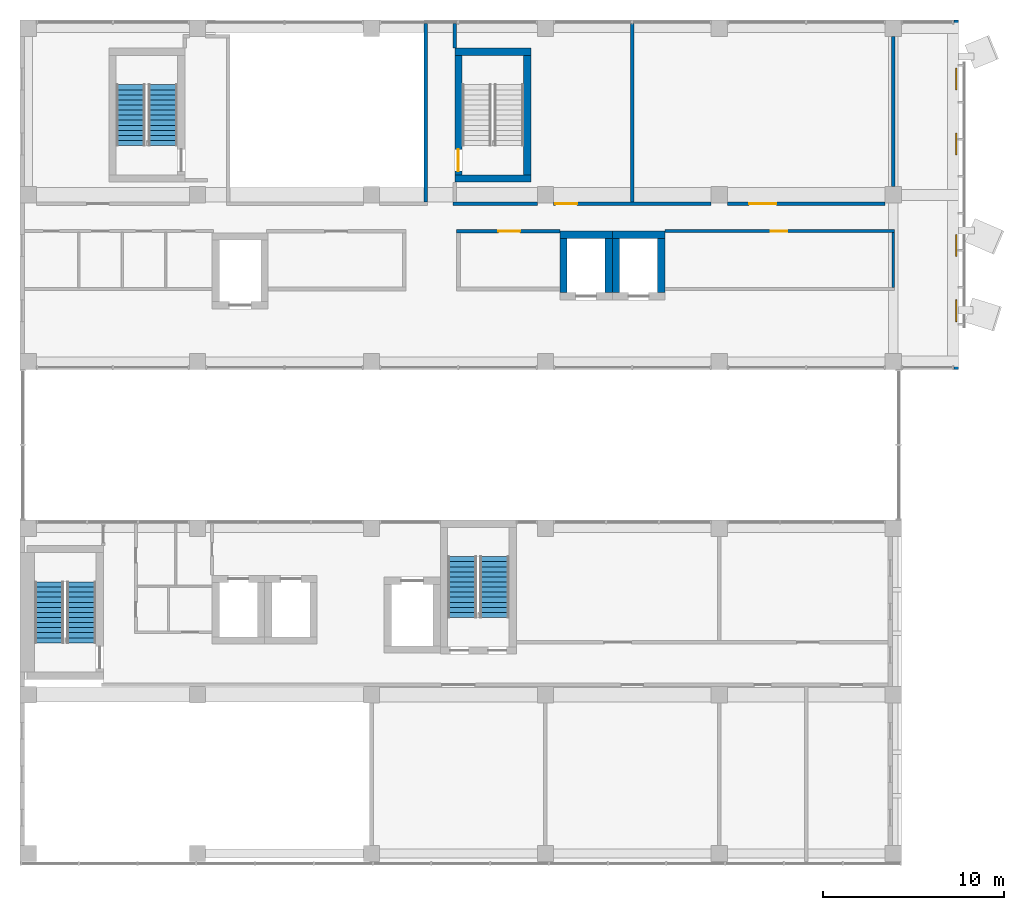
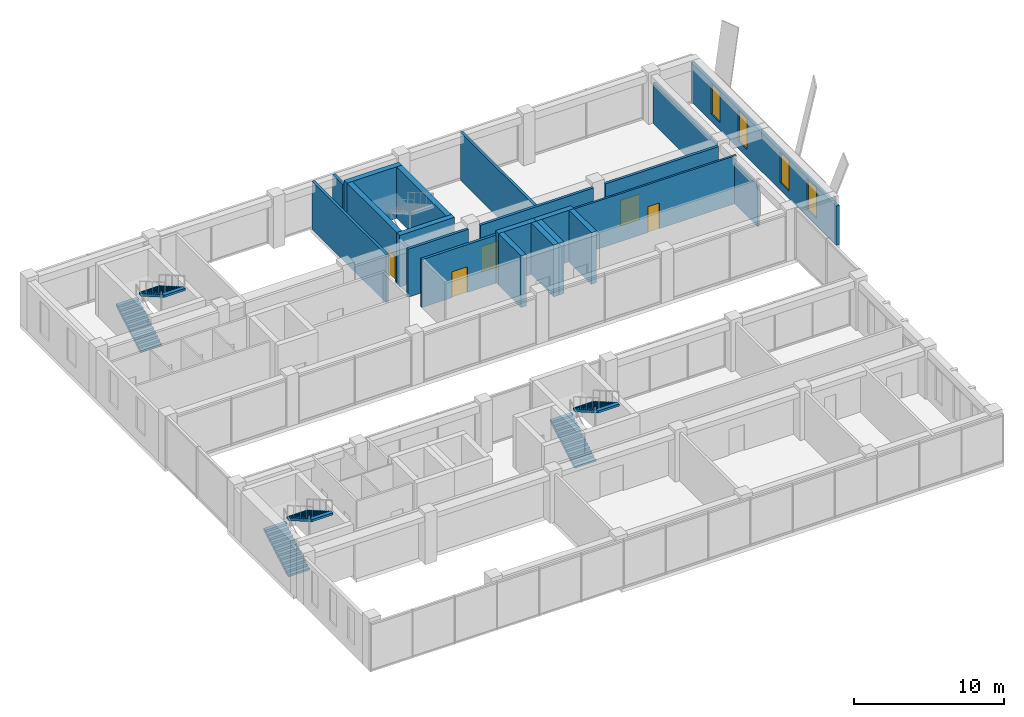
# One storey, part 30 of 37: 21 walls, 6 stair flights, 5 doors, 4 windows, 9 openings, 3 elements without a shape of their own.
"""IFC4 building model written with IfcOpenShell, lengths in metres."""

from ifc_helpers import new_model, si_unit, direction, frame, frame_2d, origin, place, context, subcontext, project, spatial, polyline, rectangle, outline, extrude, material, layer, layer_set, layer_usage, type_object, element, fill, aggregate, save


model = new_model("IFC4")

# Units and contexts
model_context = context("Model", 3, precision=1e-05, world=origin(), true_north=direction((0.0, 1.0)))
body_context = subcontext(model_context, "Body", "Model", "MODEL_VIEW")
ifc_project = project(units=[si_unit("LENGTHUNIT", "METRE"), si_unit("AREAUNIT", "SQUARE_METRE"), si_unit("VOLUMEUNIT", "CUBIC_METRE"), si_unit("PLANEANGLEUNIT", "RADIAN"), si_unit("MASSUNIT", "GRAM", prefix="KILO")], contexts=[model_context])

# Site, building, storey
site_placement = place(None, origin())
site = spatial("IfcSite", under=ifc_project, at=site_placement, CompositionType="ELEMENT")
building_placement = place(site_placement, origin())
building = spatial("IfcBuilding", under=site, at=building_placement, Name="Nzadi Deep Aquarium and Research Tower", CompositionType="ELEMENT")
storey_placement = place(building_placement, frame((0.0, 0.0, 61.300048828125)))
storey = spatial("IfcBuildingStorey", under=building, at=storey_placement, Name="L12", CompositionType="ELEMENT", Elevation=61.300048828125)

# Wall, openings, windows
ifc_material_1 = material(Name="Graphite aluminium shingle", Category="aluminium")
ifc_layer_1 = layer(ifc_material_1, 0.050048828125, Category="cladding")
ifc_material_2 = material(Name="Concrete C35/45", Category="concrete")
ifc_layer_2 = layer(ifc_material_2, 0.10009765625, Category="cladding")
ifc_material_3 = material(Name="Mineral wool insulation")
ifc_layer_3 = layer(ifc_material_3, 0.070068359375, Category="insulation")
ifc_material_4 = material(Name="Gypsum board lining")
ifc_layer_4 = layer(ifc_material_4, 0.030029296875, Category="lining")
ifc_layer_set_1 = layer_set([ifc_layer_1, ifc_layer_2, ifc_layer_3, ifc_layer_4], Name="Graphite aluminium shingle, Concrete C35/45, Mineral wool insulation, Gypsum board lining")
ifc_layer_usage = layer_usage(ifc_layer_set_1, "AXIS2", "POSITIVE", -0.125)
wall_type_1 = type_object("IfcWallType", Name="End wall shingle over board-formed concrete 250, 3.20 m high", PredefinedType="ELEMENTEDWALL", material=ifc_layer_set_1)
wall_1_placement = place(storey_placement, frame((51.47509765625, 27.14990234375, 0.0), z_axis=(0.0, 0.0, 1.0), x_axis=(0.0, 1.0, 0.0)))
wall_1 = element("IfcWall", 1, at=wall_1_placement, inside=storey, type_object=wall_type_1, material=ifc_layer_usage, Name="End wall blade B east L12", PredefinedType="ELEMENTEDWALL", context=body_context, shape_type="SweptSolid", body=[
    extrude(rectangle(XDim=19.300048828125, YDim=0.25, at=frame_2d((9.64990234375, 0.0))), origin(), (0.0, 0.0, 1.0), 3.199951171875),
])
opening_1_placement = place(wall_1_placement, frame((2.64990234375, 0.0, 0.60009765625)))
opening_1 = element("IfcOpeningElement", 2, at=opening_1_placement, cuts=wall_1, Name="Opening WN08", PredefinedType="OPENING", context=body_context, shape_type="SweptSolid", body=[
    extrude(rectangle(XDim=1.199951171875, YDim=2.5, at=frame_2d((0.60009765625, 1.25))), frame((0.0, 0.135009765625, 0.0), z_axis=(0.0, -1.0, 0.0), x_axis=(1.0, 0.0, 0.0)), (0.0, 0.0, 1.0), 0.27001953125),
])
opening_2_placement = place(wall_1_placement, frame((6.25, 0.0, 0.60009765625)))
opening_2 = element("IfcOpeningElement", 3, at=opening_2_placement, cuts=wall_1, Name="Opening WN08", PredefinedType="OPENING", context=body_context, shape_type="SweptSolid", body=[
    extrude(rectangle(XDim=1.199951171875, YDim=2.5, at=frame_2d((0.60009765625, 1.25))), frame((0.0, 0.135009765625, 0.0), z_axis=(0.0, -1.0, 0.0), x_axis=(1.0, 0.0, 0.0)), (0.0, 0.0, 1.0), 0.27001953125),
])
opening_3_placement = place(wall_1_placement, frame((11.85009765625, 0.0, 0.60009765625)))
opening_3 = element("IfcOpeningElement", 4, at=opening_3_placement, cuts=wall_1, Name="Opening WN08", PredefinedType="OPENING", context=body_context, shape_type="SweptSolid", body=[
    extrude(rectangle(XDim=1.199951171875, YDim=2.5, at=frame_2d((0.60009765625, 1.25))), frame((0.0, 0.135009765625, 0.0), z_axis=(0.0, -1.0, 0.0), x_axis=(1.0, 0.0, 0.0)), (0.0, 0.0, 1.0), 0.27001953125),
])
opening_4_placement = place(wall_1_placement, frame((15.449951171875, 0.0, 0.60009765625)))
opening_4 = element("IfcOpeningElement", 5, at=opening_4_placement, cuts=wall_1, Name="Opening WN08", PredefinedType="OPENING", context=body_context, shape_type="SweptSolid", body=[
    extrude(rectangle(XDim=1.199951171875, YDim=2.5, at=frame_2d((0.60009765625, 1.25))), frame((0.0, 0.135009765625, 0.0), z_axis=(0.0, -1.0, 0.0), x_axis=(1.0, 0.0, 0.0)), (0.0, 0.0, 1.0), 0.27001953125),
])
ifc_material_5 = material(Name="Aluminium window, sage tint glazing", Category="aluminium")
window_type = type_object("IfcWindowType", Name="Slot window 1200x2500 sill 600", PartitioningType="SINGLE_PANEL", PredefinedType="WINDOW", material=ifc_material_5)
window_1_placement = place(opening_1_placement, origin())
window_1 = element("IfcWindow", 6, at=window_1_placement, inside=storey, type_object=window_type, Name="Slot window L12 BE", OverallHeight=2.5, OverallWidth=1.199951171875, PartitioningType="SINGLE_PANEL", PredefinedType="WINDOW", context=body_context, shape_type="SweptSolid", body=[
    extrude(rectangle(XDim=1.199951171875, YDim=2.5, at=frame_2d((0.60009765625, 1.25))), frame((0.0, 0.030029296875, 0.0), z_axis=(0.0, -1.0, 0.0), x_axis=(1.0, 0.0, 0.0)), (0.0, 0.0, 1.0), 0.06005859375),
])
fill(opening_1, window_1)
window_2_placement = place(opening_2_placement, origin())
window_2 = element("IfcWindow", 7, at=window_2_placement, inside=storey, type_object=window_type, Name="Slot window L12 BE", OverallHeight=2.5, OverallWidth=1.199951171875, PartitioningType="SINGLE_PANEL", PredefinedType="WINDOW", context=body_context, shape_type="SweptSolid", body=[
    extrude(rectangle(XDim=1.199951171875, YDim=2.5, at=frame_2d((0.60009765625, 1.25))), frame((0.0, 0.030029296875, 0.0), z_axis=(0.0, -1.0, 0.0), x_axis=(1.0, 0.0, 0.0)), (0.0, 0.0, 1.0), 0.06005859375),
])
fill(opening_2, window_2)
window_3_placement = place(opening_3_placement, origin())
window_3 = element("IfcWindow", 8, at=window_3_placement, inside=storey, type_object=window_type, Name="Slot window L12 BE", OverallHeight=2.5, OverallWidth=1.199951171875, PartitioningType="SINGLE_PANEL", PredefinedType="WINDOW", context=body_context, shape_type="SweptSolid", body=[
    extrude(rectangle(XDim=1.199951171875, YDim=2.5, at=frame_2d((0.60009765625, 1.25))), frame((0.0, 0.030029296875, 0.0), z_axis=(0.0, -1.0, 0.0), x_axis=(1.0, 0.0, 0.0)), (0.0, 0.0, 1.0), 0.06005859375),
])
fill(opening_3, window_3)
window_4_placement = place(opening_4_placement, origin())
window_4 = element("IfcWindow", 9, at=window_4_placement, inside=storey, type_object=window_type, Name="Slot window L12 BE", OverallHeight=2.5, OverallWidth=1.199951171875, PartitioningType="SINGLE_PANEL", PredefinedType="WINDOW", context=body_context, shape_type="SweptSolid", body=[
    extrude(rectangle(XDim=1.199951171875, YDim=2.5, at=frame_2d((0.60009765625, 1.25))), frame((0.0, 0.030029296875, 0.0), z_axis=(0.0, -1.0, 0.0), x_axis=(1.0, 0.0, 0.0)), (0.0, 0.0, 1.0), 0.06005859375),
])
fill(opening_4, window_4)

# Wall, opening, door
ifc_material_6 = material(Name="Blockwork masonry", Category="masonry")
ifc_layer_5 = layer(ifc_material_6, 0.14990234375)
ifc_layer_set_2 = layer_set([ifc_layer_5], Name="Blockwork masonry")
wall_type_2 = type_object("IfcWallType", Name="Partition 150 EI 60", PredefinedType="PARTITIONING", material=ifc_layer_set_2)
wall_2_placement = place(storey_placement, frame((35.406005859375, 34.800048828125, 0.0), z_axis=(0.0, 0.0, 1.0), x_axis=(1.0, 0.0, 0.0)))
wall_2 = element("IfcWall", 10, at=wall_2_placement, inside=storey, type_object=wall_type_2, Name="W-Z1-L12-P038", PredefinedType="PARTITIONING", context=body_context, shape_type="SweptSolid", body=[
    extrude(rectangle(XDim=12.6689453125, YDim=0.14990234375, at=frame_2d((6.33447265625, 0.0))), origin(), (0.0, 0.0, 1.0), 3.89990234375),
])
opening_5_placement = place(wall_2_placement, frame((5.843994140625, 0.0, 0.0)))
opening_5 = element("IfcOpeningElement", 11, at=opening_5_placement, cuts=wall_2, Name="Opening D131018", PredefinedType="OPENING", context=body_context, shape_type="SweptSolid", body=[
    extrude(rectangle(XDim=0.89990234375, YDim=2.10009765625, at=frame_2d((0.449951171875, 1.050048828125))), frame((0.0, 0.0849609375, 0.0), z_axis=(0.0, -1.0, 0.0), x_axis=(1.0, 0.0, 0.0)), (0.0, 0.0, 1.0), 0.169921875),
])
ifc_material_7 = material(Name="Fire-rated steel door", Category="steel")
ifc_layer_6 = layer(ifc_material_7, 0.050048828125)
ifc_layer_set_3 = layer_set([ifc_layer_6], Name="Fire-rated steel door")
door_type_1 = type_object("IfcDoorType", Name="Door 900x2100 EI 60 single", OperationType="SINGLE_SWING_LEFT", PredefinedType="DOOR", material=ifc_layer_set_3)
door_1_placement = place(opening_5_placement, origin())
door_1 = element("IfcDoor", 12, at=door_1_placement, inside=storey, type_object=door_type_1, Name="D131018", OperationType="SINGLE_SWING_RIGHT", OverallHeight=2.10009765625, OverallWidth=0.89990234375, PredefinedType="DOOR", context=body_context, shape_type="SweptSolid", body=[
    extrude(rectangle(XDim=0.89990234375, YDim=2.10009765625, at=frame_2d((0.449951171875, 1.050048828125))), frame((0.0, 0.02490234375, 0.0), z_axis=(0.0, -1.0, 0.0), x_axis=(1.0, 0.0, 0.0)), (0.0, 0.0, 1.0), 0.050048828125),
])
fill(opening_5, door_1)

# Walls
ifc_material_8 = material(Name="Blockwork masonry", Category="masonry")
ifc_layer_7 = layer(ifc_material_8, 0.14990234375)
ifc_layer_set_4 = layer_set([ifc_layer_7], Name="Blockwork masonry")
wall_type_3 = type_object("IfcWallType", Name="Partition 150 EI 60, 3.30 m high", PredefinedType="PARTITIONING", material=ifc_layer_set_4)
wall_3_placement = place(storey_placement, frame((48.0, 31.675048828125, 0.0), z_axis=(0.0, 0.0, 1.0), x_axis=(0.0, 1.0, 0.0)))
element("IfcWall", 13, at=wall_3_placement, inside=storey, type_object=wall_type_3, Name="W-Z1-L12-P044", PredefinedType="PARTITIONING", context=body_context, shape_type="SweptSolid", body=[
    extrude(rectangle(XDim=3.050048828125, YDim=0.14990234375, at=frame_2d((1.52490234375, 0.0))), origin(), (0.0, 0.0, 1.0), 3.300048828125),
])
ifc_material_9 = material(Name="Blockwork masonry", Category="masonry")
ifc_layer_8 = layer(ifc_material_9, 0.199951171875)
ifc_layer_set_5 = layer_set([ifc_layer_8], Name="Blockwork masonry")
wall_type_4 = type_object("IfcWallType", Name="Partition 200 EI 120", PredefinedType="PARTITIONING", material=ifc_layer_set_5)
wall_4_placement = place(storey_placement, frame((22.199951171875, 36.39990234375, 0.0), z_axis=(0.0, 0.0, 1.0), x_axis=(0.0, 1.0, 0.0)))
element("IfcWall", 14, at=wall_4_placement, inside=storey, type_object=wall_type_4, Name="W-Z1-L12-P026", PredefinedType="PARTITIONING", context=body_context, shape_type="SweptSolid", body=[
    extrude(rectangle(XDim=9.843994140625, YDim=0.199951171875, at=frame_2d((4.921875, 0.0))), origin(), (0.0, 0.0, 1.0), 3.89990234375),
])
wall_5_placement = place(storey_placement, frame((23.699951171875, 36.300048828125, 0.0), z_axis=(0.0, 0.0, 1.0), x_axis=(1.0, 0.0, 0.0)))
element("IfcWall", 15, at=wall_5_placement, inside=storey, type_object=wall_type_4, Name="W-Z1-L12-P027", PredefinedType="PARTITIONING", context=body_context, shape_type="SweptSolid", body=[
    extrude(rectangle(XDim=4.650146484375, YDim=0.199951171875, at=frame_2d((2.3251953125, 0.0))), origin(), (0.0, 0.0, 1.0), 3.89990234375),
])
wall_6_placement = place(storey_placement, frame((23.800048828125, 44.906005859375, 0.0), z_axis=(0.0, 0.0, 1.0), x_axis=(0.0, 1.0, 0.0)))
element("IfcWall", 16, at=wall_6_placement, inside=storey, type_object=wall_type_4, Name="W-Z1-L12-P029", PredefinedType="PARTITIONING", context=body_context, shape_type="SweptSolid", body=[
    extrude(rectangle(XDim=1.337890625, YDim=0.199951171875, at=frame_2d((0.6689453125, 0.0))), origin(), (0.0, 0.0, 1.0), 3.89990234375),
])

# Wall, opening, door
wall_7_placement = place(storey_placement, frame((23.89990234375, 34.800048828125, 0.0), z_axis=(0.0, 0.0, 1.0), x_axis=(1.0, 0.0, 0.0)))
wall_7 = element("IfcWall", 17, at=wall_7_placement, inside=storey, type_object=wall_type_4, Name="W-Z1-L12-P032", PredefinedType="PARTITIONING", context=body_context, shape_type="SweptSolid", body=[
    extrude(rectangle(XDim=5.694091796875, YDim=0.199951171875, at=frame_2d((2.84716796875, 0.0))), origin(), (0.0, 0.0, 1.0), 3.89990234375),
])
opening_6_placement = place(wall_7_placement, frame((2.300048828125, 0.0, 0.0)))
opening_6 = element("IfcOpeningElement", 18, at=opening_6_placement, cuts=wall_7, Name="Opening D131017", PredefinedType="OPENING", context=body_context, shape_type="SweptSolid", body=[
    extrude(rectangle(XDim=1.199951171875, YDim=2.10009765625, at=frame_2d((0.60009765625, 1.050048828125))), frame((0.0, 0.110107421875, 0.0), z_axis=(0.0, -1.0, 0.0), x_axis=(1.0, 0.0, 0.0)), (0.0, 0.0, 1.0), 0.22021484375),
])
ifc_material_10 = material(Name="Fire-rated steel door", Category="steel")
ifc_layer_9 = layer(ifc_material_10, 0.050048828125)
ifc_layer_set_6 = layer_set([ifc_layer_9], Name="Fire-rated steel door")
door_type_2 = type_object("IfcDoorType", Name="Door 1200x2100 EI 120 single", OperationType="SINGLE_SWING_LEFT", PredefinedType="DOOR", material=ifc_layer_set_6)
door_2_placement = place(opening_6_placement, origin())
door_2 = element("IfcDoor", 19, at=door_2_placement, inside=storey, type_object=door_type_2, Name="D131017", OperationType="SINGLE_SWING_LEFT", OverallHeight=2.10009765625, OverallWidth=1.199951171875, PredefinedType="DOOR", context=body_context, shape_type="SweptSolid", body=[
    extrude(rectangle(XDim=1.199951171875, YDim=2.10009765625, at=frame_2d((0.60009765625, 1.050048828125))), frame((0.0, 0.02490234375, 0.0), z_axis=(0.0, -1.0, 0.0), x_axis=(1.0, 0.0, 0.0)), (0.0, 0.0, 1.0), 0.050048828125),
])
fill(opening_6, door_2)

wall_8_placement = place(storey_placement, frame((29.25, 36.300048828125, 0.0), z_axis=(0.0, 0.0, 1.0), x_axis=(1.0, 0.0, 0.0)))
wall_8 = element("IfcWall", 20, at=wall_8_placement, inside=storey, type_object=wall_type_4, Name="W-Z1-L12-P035", PredefinedType="PARTITIONING", context=body_context, shape_type="SweptSolid", body=[
    extrude(rectangle(XDim=8.699951171875, YDim=0.199951171875, at=frame_2d((4.35009765625, 0.0))), origin(), (0.0, 0.0, 1.0), 3.89990234375),
])
opening_7_placement = place(wall_8_placement, frame((0.10009765625, 0.0, 0.0)))
opening_7 = element("IfcOpeningElement", 21, at=opening_7_placement, cuts=wall_8, Name="Opening D131020", PredefinedType="OPENING", context=body_context, shape_type="SweptSolid", body=[
    extrude(rectangle(XDim=1.199951171875, YDim=2.10009765625, at=frame_2d((0.60009765625, 1.050048828125))), frame((0.0, 0.110107421875, 0.0), z_axis=(0.0, -1.0, 0.0), x_axis=(1.0, 0.0, 0.0)), (0.0, 0.0, 1.0), 0.22021484375),
])
door_3_placement = place(opening_7_placement, origin())
door_3 = element("IfcDoor", 22, at=door_3_placement, inside=storey, type_object=door_type_2, Name="D131020", OperationType="SINGLE_SWING_LEFT", OverallHeight=2.10009765625, OverallWidth=1.199951171875, PredefinedType="DOOR", context=body_context, shape_type="SweptSolid", body=[
    extrude(rectangle(XDim=1.199951171875, YDim=2.10009765625, at=frame_2d((0.60009765625, 1.050048828125))), frame((0.0, 0.02490234375, 0.0), z_axis=(0.0, -1.0, 0.0), x_axis=(1.0, 0.0, 0.0)), (0.0, 0.0, 1.0), 0.050048828125),
])
fill(opening_7, door_3)

# Wall
wall_9_placement = place(storey_placement, frame((33.60009765625, 36.39990234375, 0.0), z_axis=(0.0, 0.0, 1.0), x_axis=(0.0, 1.0, 0.0)))
element("IfcWall", 23, at=wall_9_placement, inside=storey, type_object=wall_type_4, Name="W-Z1-L12-P036", PredefinedType="PARTITIONING", context=body_context, shape_type="SweptSolid", body=[
    extrude(rectangle(XDim=9.843994140625, YDim=0.199951171875, at=frame_2d((4.921875, 0.0))), origin(), (0.0, 0.0, 1.0), 3.89990234375),
])

# Wall, opening, door
wall_10_placement = place(storey_placement, frame((38.85009765625, 36.300048828125, 0.0), z_axis=(0.0, 0.0, 1.0), x_axis=(1.0, 0.0, 0.0)))
wall_10 = element("IfcWall", 24, at=wall_10_placement, inside=storey, type_object=wall_type_4, Name="W-Z1-L12-P041", PredefinedType="PARTITIONING", context=body_context, shape_type="SweptSolid", body=[
    extrude(rectangle(XDim=8.699951171875, YDim=0.199951171875, at=frame_2d((4.35009765625, 0.0))), origin(), (0.0, 0.0, 1.0), 3.89990234375),
])
opening_8_placement = place(wall_10_placement, frame((1.199951171875, 0.0, 0.0)))
opening_8 = element("IfcOpeningElement", 25, at=opening_8_placement, cuts=wall_10, Name="Opening D131021", PredefinedType="OPENING", context=body_context, shape_type="SweptSolid", body=[
    extrude(rectangle(XDim=1.5, YDim=2.10009765625, at=frame_2d((0.75, 1.050048828125))), frame((0.0, 0.110107421875, 0.0), z_axis=(0.0, -1.0, 0.0), x_axis=(1.0, 0.0, 0.0)), (0.0, 0.0, 1.0), 0.22021484375),
])
ifc_material_11 = material(Name="Fire-rated steel door", Category="steel")
ifc_layer_10 = layer(ifc_material_11, 0.050048828125)
ifc_layer_set_7 = layer_set([ifc_layer_10], Name="Fire-rated steel door")
door_type_3 = type_object("IfcDoorType", Name="Door 1500x2100 EI 120 double", OperationType="DOUBLE_DOOR_SINGLE_SWING", PredefinedType="DOOR", material=ifc_layer_set_7)
door_4_placement = place(opening_8_placement, origin())
door_4 = element("IfcDoor", 26, at=door_4_placement, inside=storey, type_object=door_type_3, Name="D131021", OperationType="DOUBLE_DOOR_SINGLE_SWING", OverallHeight=2.10009765625, OverallWidth=1.5, PredefinedType="DOOR", context=body_context, shape_type="SweptSolid", body=[
    extrude(rectangle(XDim=1.5, YDim=2.10009765625, at=frame_2d((0.75, 1.050048828125))), frame((0.0, 0.02490234375, 0.0), z_axis=(0.0, -1.0, 0.0), x_axis=(1.0, 0.0, 0.0)), (0.0, 0.0, 1.0), 0.050048828125),
])
fill(opening_8, door_4)

# Walls
ifc_material_12 = material(Name="Blockwork masonry", Category="masonry")
ifc_layer_11 = layer(ifc_material_12, 0.199951171875)
ifc_layer_set_8 = layer_set([ifc_layer_11], Name="Blockwork masonry")
wall_type_5 = type_object("IfcWallType", Name="Partition 200 EI 120, 3.30 m high", PredefinedType="PARTITIONING", material=ifc_layer_set_8)
wall_11_placement = place(storey_placement, frame((48.0, 37.25, 0.0), z_axis=(0.0, 0.0, 1.0), x_axis=(0.0, 1.0, 0.0)))
element("IfcWall", 27, at=wall_11_placement, inside=storey, type_object=wall_type_5, Name="W-Z1-L12-P043", PredefinedType="PARTITIONING", context=body_context, shape_type="SweptSolid", body=[
    extrude(rectangle(XDim=8.300048828125, YDim=0.199951171875, at=frame_2d((4.14990234375, 0.0))), origin(), (0.0, 0.0, 1.0), 3.300048828125),
])
ifc_material_13 = material(Name="Concrete C35/45", Category="concrete")
ifc_layer_12 = layer(ifc_material_13, 0.39990234375)
ifc_layer_set_9 = layer_set([ifc_layer_12], Name="Concrete C35/45")
wall_type_6 = type_object("IfcWallType", Name="RC core wall 400", PredefinedType="SHEAR", material=ifc_layer_set_9)
for number, where, z_axis, x_axis, name in (
    (28, (23.800048828125, 37.699951171875, 0.0), (0.0, 0.0, 1.0), (1.0, 0.0, 0.0), "W-CORE-ST-Z1-NE-L12-S"),
    (29, (23.800048828125, 44.699951171875, 0.0), (0.0, 0.0, 1.0), (1.0, 0.0, 0.0), "W-CORE-ST-Z1-NE-L12-N"),
):
    element("IfcWall", number, at=place(storey_placement, frame(where, z_axis=z_axis, x_axis=x_axis)), inside=storey, type_object=wall_type_6, Name=name, PredefinedType="SHEAR", context=body_context, shape_type="SweptSolid", body=[
        extrude(rectangle(XDim=4.199951171875, YDim=0.39990234375, at=frame_2d((2.10009765625, 0.0))), origin(), (0.0, 0.0, 1.0), 4.199951171875),
    ])

# Wall, opening, door
wall_12_placement = place(storey_placement, frame((24.0, 37.89990234375, 0.0), z_axis=(0.0, 0.0, 1.0), x_axis=(0.0, 1.0, 0.0)))
wall_12 = element("IfcWall", 30, at=wall_12_placement, inside=storey, type_object=wall_type_6, Name="W-CORE-ST-Z1-NE-L12-W", PredefinedType="SHEAR", context=body_context, shape_type="SweptSolid", body=[
    extrude(rectangle(XDim=6.60009765625, YDim=0.39990234375, at=frame_2d((3.300048828125, 0.0))), origin(), (0.0, 0.0, 1.0), 4.199951171875),
])
opening_9_placement = place(wall_12_placement, frame((0.2099609375, 0.0, 0.0)))
opening_9 = element("IfcOpeningElement", 31, at=opening_9_placement, cuts=wall_12, Name="Opening DS-Z1-NE-L12", PredefinedType="OPENING", context=body_context, shape_type="SweptSolid", body=[
    extrude(rectangle(XDim=1.199951171875, YDim=2.10009765625, at=frame_2d((0.60009765625, 1.050048828125))), frame((0.0, 0.2099609375, 0.0), z_axis=(0.0, -1.0, 0.0), x_axis=(1.0, 0.0, 0.0)), (0.0, 0.0, 1.0), 0.419921875),
])
ifc_material_14 = material(Name="Steel, powder coated", Category="steel")
door_type_4 = type_object("IfcDoorType", Name="STAIR DOOR 1200x2100 EI 60", OperationType="SINGLE_SWING_LEFT", PredefinedType="DOOR", material=ifc_material_14)
door_5_placement = place(opening_9_placement, origin())
door_5 = element("IfcDoor", 32, at=door_5_placement, inside=storey, type_object=door_type_4, Name="Stair door ST-Z1-NE L12", OperationType="SINGLE_SWING_LEFT", OverallHeight=2.10009765625, OverallWidth=1.199951171875, PredefinedType="DOOR", context=body_context, shape_type="SweptSolid", body=[
    extrude(rectangle(XDim=1.199951171875, YDim=2.10009765625, at=frame_2d((0.60009765625, 1.050048828125))), frame((0.0, 0.02490234375, 0.0), z_axis=(0.0, -1.0, 0.0), x_axis=(1.0, 0.0, 0.0)), (0.0, 0.0, 1.0), 0.050048828125),
])
fill(opening_9, door_5)

# Walls
wall_13_placement = place(storey_placement, frame((27.800048828125, 37.89990234375, 0.0), z_axis=(0.0, 0.0, 1.0), x_axis=(0.0, 1.0, 0.0)))
element("IfcWall", 33, at=wall_13_placement, inside=storey, type_object=wall_type_6, Name="W-CORE-ST-Z1-NE-L12-E", PredefinedType="SHEAR", context=body_context, shape_type="SweptSolid", body=[
    extrude(rectangle(XDim=6.60009765625, YDim=0.39990234375, at=frame_2d((3.300048828125, 0.0))), origin(), (0.0, 0.0, 1.0), 4.199951171875),
])
wall_14_placement = place(storey_placement, frame((29.60009765625, 34.60009765625, 0.0), z_axis=(0.0, 0.0, 1.0), x_axis=(1.0, 0.0, 0.0)))
element("IfcWall", 34, at=wall_14_placement, inside=storey, type_object=wall_type_6, Name="W-CORE-TL3-L12-N", PredefinedType="SHEAR", context=body_context, shape_type="SweptSolid", body=[
    extrude(rectangle(XDim=2.89990234375, YDim=0.39990234375, at=frame_2d((1.449951171875, 0.0))), origin(), (0.0, 0.0, 1.0), 4.199951171875),
])
for number, where, z_axis, x_axis, name in (
    (35, (29.800048828125, 31.39990234375, 0.0), (0.0, 0.0, 1.0), (0.0, 1.0, 0.0), "W-CORE-TL3-L12-W"),
    (36, (32.300048828125, 31.39990234375, 0.0), (0.0, 0.0, 1.0), (0.0, 1.0, 0.0), "W-CORE-TL3-L12-E"),
):
    element("IfcWall", number, at=place(storey_placement, frame(where, z_axis=z_axis, x_axis=x_axis)), inside=storey, type_object=wall_type_6, Name=name, PredefinedType="SHEAR", context=body_context, shape_type="SweptSolid", body=[
        extrude(rectangle(XDim=3.0, YDim=0.39990234375, at=frame_2d((1.5, 0.0))), origin(), (0.0, 0.0, 1.0), 4.199951171875),
    ])
wall_15_placement = place(storey_placement, frame((32.5, 34.60009765625, 0.0), z_axis=(0.0, 0.0, 1.0), x_axis=(1.0, 0.0, 0.0)))
element("IfcWall", 37, at=wall_15_placement, inside=storey, type_object=wall_type_6, Name="W-CORE-TL4-L12-N", PredefinedType="SHEAR", context=body_context, shape_type="SweptSolid", body=[
    extrude(rectangle(XDim=2.89990234375, YDim=0.39990234375, at=frame_2d((1.449951171875, 0.0))), origin(), (0.0, 0.0, 1.0), 4.199951171875),
])
for number, where, z_axis, x_axis, name in (
    (38, (32.699951171875, 31.39990234375, 0.0), (0.0, 0.0, 1.0), (0.0, 1.0, 0.0), "W-CORE-TL4-L12-W"),
    (39, (35.199951171875, 31.39990234375, 0.0), (0.0, 0.0, 1.0), (0.0, 1.0, 0.0), "W-CORE-TL4-L12-E"),
):
    element("IfcWall", number, at=place(storey_placement, frame(where, z_axis=z_axis, x_axis=x_axis)), inside=storey, type_object=wall_type_6, Name=name, PredefinedType="SHEAR", context=body_context, shape_type="SweptSolid", body=[
        extrude(rectangle(XDim=3.0, YDim=0.39990234375, at=frame_2d((1.5, 0.0))), origin(), (0.0, 0.0, 1.0), 4.199951171875),
    ])

# Stair, stair flights
ifc_material_15 = material(Name="Concrete C35/45", Category="concrete")
stair_type = type_object("IfcStairType", Name="STAIR RETURN 3000", PredefinedType="NOTDEFINED", material=ifc_material_15)
stair_1_placement = place(storey_placement, origin())
stair_1 = element("IfcStair", 40, at=stair_1_placement, inside=storey, type_object=stair_type, Name="Stair ST-Z1-SW L12", PredefinedType="HALF_TURN_STAIR")
ifc_material_16 = material(Name="Concrete C35/45", Category="concrete")
stair_flight_type = type_object("IfcStairFlightType", Name="FLIGHT 1625 13 RISERS 161.5 GOING 280", PredefinedType="STRAIGHT", material=ifc_material_16)
stair_flight_1_placement = place(storey_placement, frame((1.41259765625, 12.070068359375, 0.0), z_axis=(0.0, 0.0, 1.0), x_axis=(0.0, 1.0, 0.0)))
stair_flight_1 = element("IfcStairFlight", 41, at=stair_flight_1_placement, type_object=stair_flight_type, Name="ST-Z1-SW flight 1", NumberOfRisers=13, NumberOfTreads=12, PredefinedType="STRAIGHT", RiserHeight=0.161538462, TreadLength=0.28, context=body_context, shape_type="SweptSolid", body=[
    extrude(outline(polyline([(0.0, 0.0), (0.0, 0.16162109375), (0.280029296875, 0.16162109375), (0.280029296875, 0.322998046875), (0.56005859375, 0.322998046875), (0.56005859375, 0.484619140625), (0.840087890625, 0.484619140625), (0.840087890625, 0.646240234375), (1.1201171875, 0.646240234375), (1.1201171875, 0.8076171875), (1.39990234375, 0.8076171875), (1.39990234375, 0.96923828125), (1.679931640625, 0.96923828125), (1.679931640625, 1.130859375), (1.9599609375, 1.130859375), (1.9599609375, 1.292236328125), (2.239990234375, 1.292236328125), (2.239990234375, 1.453857421875), (2.52001953125, 1.453857421875), (2.52001953125, 1.615478515625), (2.800048828125, 1.615478515625), (2.800048828125, 1.77685546875), (3.080078125, 1.77685546875), (3.080078125, 1.9384765625), (3.360107421875, 1.9384765625), (3.360107421875, 2.10009765625), (3.360107421875, 1.765380859375), (0.300048828125, 0.0), (0.0, 0.0)])), frame((0.0, 0.8125, 0.0), z_axis=(0.0, -1.0, 0.0), x_axis=(1.0, 0.0, 0.0)), (0.0, 0.0, 1.0), 1.625),
])
stair_flight_2_placement = place(storey_placement, frame((3.1875, 15.429931640625, 2.099853515625), z_axis=(0.0, 0.0, 1.0), x_axis=(0.0, -1.0, 0.0)))
stair_flight_2 = element("IfcStairFlight", 42, at=stair_flight_2_placement, type_object=stair_flight_type, Name="ST-Z1-SW flight 2", NumberOfRisers=13, NumberOfTreads=12, PredefinedType="STRAIGHT", RiserHeight=0.161538462, TreadLength=0.28, context=body_context, shape_type="SweptSolid", body=[
    extrude(outline(polyline([(0.0, 0.0), (0.0, 0.16162109375), (0.280029296875, 0.16162109375), (0.280029296875, 0.322998046875), (0.56005859375, 0.322998046875), (0.56005859375, 0.484619140625), (0.840087890625, 0.484619140625), (0.840087890625, 0.646240234375), (1.1201171875, 0.646240234375), (1.1201171875, 0.8076171875), (1.39990234375, 0.8076171875), (1.39990234375, 0.96923828125), (1.679931640625, 0.96923828125), (1.679931640625, 1.130859375), (1.9599609375, 1.130859375), (1.9599609375, 1.292236328125), (2.239990234375, 1.292236328125), (2.239990234375, 1.453857421875), (2.52001953125, 1.453857421875), (2.52001953125, 1.615478515625), (2.800048828125, 1.615478515625), (2.800048828125, 1.77685546875), (3.080078125, 1.77685546875), (3.080078125, 1.9384765625), (3.360107421875, 1.9384765625), (3.360107421875, 2.10009765625), (3.360107421875, 1.765380859375), (0.300048828125, 0.0), (0.0, 0.0)])), frame((0.0, 0.8125, 0.0), z_axis=(0.0, -1.0, 0.0), x_axis=(1.0, 0.0, 0.0)), (0.0, 0.0, 1.0), 1.625),
])
aggregate(stair_1, [stair_flight_1, stair_flight_2])

stair_2_placement = place(storey_placement, origin())
stair_2 = element("IfcStair", 43, at=stair_2_placement, inside=storey, type_object=stair_type, Name="Stair ST-Z1-SE L12", PredefinedType="HALF_TURN_STAIR")
stair_flight_3_placement = place(storey_placement, frame((24.21240234375, 13.469970703125, 0.0), z_axis=(0.0, 0.0, 1.0), x_axis=(0.0, 1.0, 0.0)))
stair_flight_3 = element("IfcStairFlight", 44, at=stair_flight_3_placement, type_object=stair_flight_type, Name="ST-Z1-SE flight 1", NumberOfRisers=13, NumberOfTreads=12, PredefinedType="STRAIGHT", RiserHeight=0.161538462, TreadLength=0.28, context=body_context, shape_type="SweptSolid", body=[
    extrude(outline(polyline([(0.0, 0.0), (0.0, 0.16162109375), (0.280029296875, 0.16162109375), (0.280029296875, 0.322998046875), (0.56005859375, 0.322998046875), (0.56005859375, 0.484619140625), (0.840087890625, 0.484619140625), (0.840087890625, 0.646240234375), (1.1201171875, 0.646240234375), (1.1201171875, 0.8076171875), (1.39990234375, 0.8076171875), (1.39990234375, 0.96923828125), (1.679931640625, 0.96923828125), (1.679931640625, 1.130859375), (1.9599609375, 1.130859375), (1.9599609375, 1.292236328125), (2.239990234375, 1.292236328125), (2.239990234375, 1.453857421875), (2.52001953125, 1.453857421875), (2.52001953125, 1.615478515625), (2.800048828125, 1.615478515625), (2.800048828125, 1.77685546875), (3.080078125, 1.77685546875), (3.080078125, 1.9384765625), (3.360107421875, 1.9384765625), (3.360107421875, 2.10009765625), (3.360107421875, 1.765380859375), (0.300048828125, 0.0), (0.0, 0.0)])), frame((0.0, 0.8125, 0.0), z_axis=(0.0, -1.0, 0.0), x_axis=(1.0, 0.0, 0.0)), (0.0, 0.0, 1.0), 1.625),
])
stair_flight_4_placement = place(storey_placement, frame((25.987548828125, 16.830078125, 2.099853515625), z_axis=(0.0, 0.0, 1.0), x_axis=(0.0, -1.0, 0.0)))
stair_flight_4 = element("IfcStairFlight", 45, at=stair_flight_4_placement, type_object=stair_flight_type, Name="ST-Z1-SE flight 2", NumberOfRisers=13, NumberOfTreads=12, PredefinedType="STRAIGHT", RiserHeight=0.161538462, TreadLength=0.28, context=body_context, shape_type="SweptSolid", body=[
    extrude(outline(polyline([(0.0, 0.0), (0.0, 0.16162109375), (0.280029296875, 0.16162109375), (0.280029296875, 0.322998046875), (0.56005859375, 0.322998046875), (0.56005859375, 0.484619140625), (0.840087890625, 0.484619140625), (0.840087890625, 0.646240234375), (1.1201171875, 0.646240234375), (1.1201171875, 0.8076171875), (1.39990234375, 0.8076171875), (1.39990234375, 0.96923828125), (1.679931640625, 0.96923828125), (1.679931640625, 1.130859375), (1.9599609375, 1.130859375), (1.9599609375, 1.292236328125), (2.239990234375, 1.292236328125), (2.239990234375, 1.453857421875), (2.52001953125, 1.453857421875), (2.52001953125, 1.615478515625), (2.800048828125, 1.615478515625), (2.800048828125, 1.77685546875), (3.080078125, 1.77685546875), (3.080078125, 1.9384765625), (3.360107421875, 1.9384765625), (3.360107421875, 2.10009765625), (3.360107421875, 1.765380859375), (0.300048828125, 0.0), (0.0, 0.0)])), frame((0.0, 0.8125, 0.0), z_axis=(0.0, -1.0, 0.0), x_axis=(1.0, 0.0, 0.0)), (0.0, 0.0, 1.0), 1.625),
])
aggregate(stair_2, [stair_flight_3, stair_flight_4])

stair_3_placement = place(storey_placement, origin())
stair_3 = element("IfcStair", 46, at=stair_3_placement, inside=storey, type_object=stair_type, Name="Stair ST-Z1-NW L12", PredefinedType="HALF_TURN_STAIR")
stair_flight_5_placement = place(storey_placement, frame((5.91259765625, 39.52001953125, 0.0), z_axis=(0.0, 0.0, 1.0), x_axis=(0.0, 1.0, 0.0)))
stair_flight_5 = element("IfcStairFlight", 47, at=stair_flight_5_placement, type_object=stair_flight_type, Name="ST-Z1-NW flight 1", NumberOfRisers=13, NumberOfTreads=12, PredefinedType="STRAIGHT", RiserHeight=0.161538462, TreadLength=0.28, context=body_context, shape_type="SweptSolid", body=[
    extrude(outline(polyline([(0.0, 0.0), (0.0, 0.16162109375), (0.280029296875, 0.16162109375), (0.280029296875, 0.322998046875), (0.56005859375, 0.322998046875), (0.56005859375, 0.484619140625), (0.840087890625, 0.484619140625), (0.840087890625, 0.646240234375), (1.1201171875, 0.646240234375), (1.1201171875, 0.8076171875), (1.39990234375, 0.8076171875), (1.39990234375, 0.96923828125), (1.679931640625, 0.96923828125), (1.679931640625, 1.130859375), (1.9599609375, 1.130859375), (1.9599609375, 1.292236328125), (2.239990234375, 1.292236328125), (2.239990234375, 1.453857421875), (2.52001953125, 1.453857421875), (2.52001953125, 1.615478515625), (2.800048828125, 1.615478515625), (2.800048828125, 1.77685546875), (3.080078125, 1.77685546875), (3.080078125, 1.9384765625), (3.360107421875, 1.9384765625), (3.360107421875, 2.10009765625), (3.360107421875, 1.765380859375), (0.300048828125, 0.0), (0.0, 0.0)])), frame((0.0, 0.8125, 0.0), z_axis=(0.0, -1.0, 0.0), x_axis=(1.0, 0.0, 0.0)), (0.0, 0.0, 1.0), 1.625),
])
stair_flight_6_placement = place(storey_placement, frame((7.6875, 42.8798828125, 2.099853515625), z_axis=(0.0, 0.0, 1.0), x_axis=(0.0, -1.0, 0.0)))
stair_flight_6 = element("IfcStairFlight", 48, at=stair_flight_6_placement, type_object=stair_flight_type, Name="ST-Z1-NW flight 2", NumberOfRisers=13, NumberOfTreads=12, PredefinedType="STRAIGHT", RiserHeight=0.161538462, TreadLength=0.28, context=body_context, shape_type="SweptSolid", body=[
    extrude(outline(polyline([(0.0, 0.0), (0.0, 0.16162109375), (0.280029296875, 0.16162109375), (0.280029296875, 0.322998046875), (0.56005859375, 0.322998046875), (0.56005859375, 0.484619140625), (0.840087890625, 0.484619140625), (0.840087890625, 0.646240234375), (1.1201171875, 0.646240234375), (1.1201171875, 0.8076171875), (1.39990234375, 0.8076171875), (1.39990234375, 0.96923828125), (1.679931640625, 0.96923828125), (1.679931640625, 1.130859375), (1.9599609375, 1.130859375), (1.9599609375, 1.292236328125), (2.239990234375, 1.292236328125), (2.239990234375, 1.453857421875), (2.52001953125, 1.453857421875), (2.52001953125, 1.615478515625), (2.800048828125, 1.615478515625), (2.800048828125, 1.77685546875), (3.080078125, 1.77685546875), (3.080078125, 1.9384765625), (3.360107421875, 1.9384765625), (3.360107421875, 2.10009765625), (3.360107421875, 1.765380859375), (0.300048828125, 0.0), (0.0, 0.0)])), frame((0.0, 0.8125, 0.0), z_axis=(0.0, -1.0, 0.0), x_axis=(1.0, 0.0, 0.0)), (0.0, 0.0, 1.0), 1.625),
])
aggregate(stair_3, [stair_flight_5, stair_flight_6])

save(model, "model.ifc")
